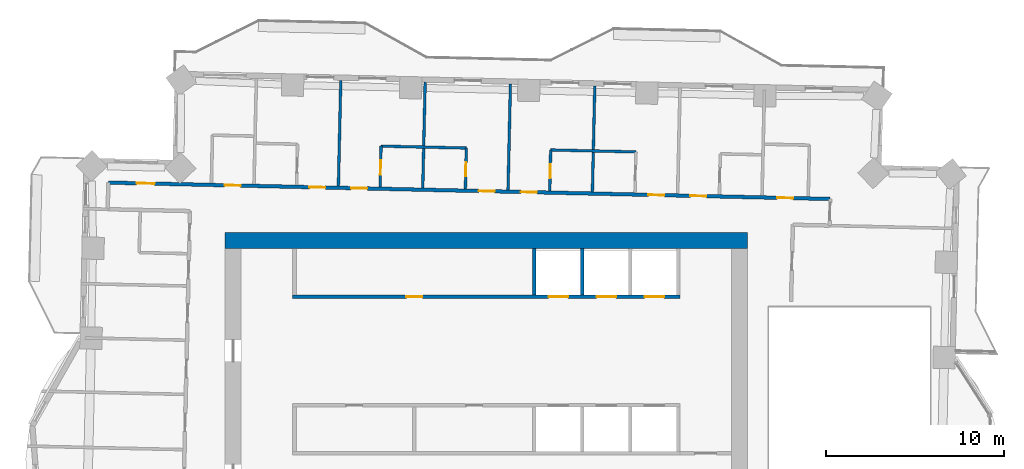
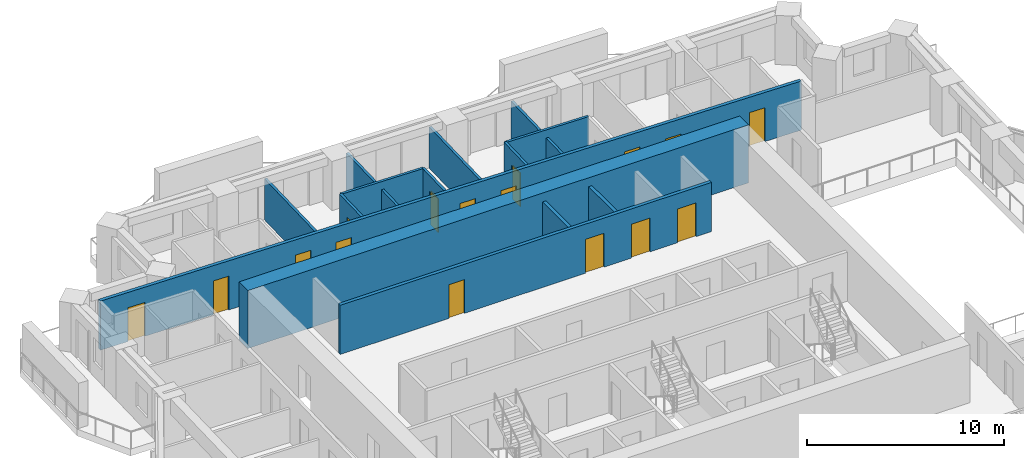
# One storey, part 9 of 15: 16 doors, 14 walls, 16 openings.
"""IFC4 building model written with IfcOpenShell, lengths in metres."""

from ifc_helpers import new_model, si_unit, direction, frame, frame_2d, origin, place, context, subcontext, project, spatial, rectangle, extrude, material, layer, layer_set, type_object, element, fill, save


model = new_model("IFC4")

# Units and contexts
model_context = context("Model", 3, precision=1e-05, world=origin(), true_north=direction((0.0, 1.0)))
body_context = subcontext(model_context, "Body", "Model", "MODEL_VIEW")
ifc_project = project(units=[si_unit("LENGTHUNIT", "METRE"), si_unit("AREAUNIT", "SQUARE_METRE"), si_unit("VOLUMEUNIT", "CUBIC_METRE"), si_unit("PLANEANGLEUNIT", "RADIAN"), si_unit("MASSUNIT", "GRAM", prefix="KILO")], contexts=[model_context])

# Site, building, storey
site_placement = place(None, origin())
site = spatial("IfcSite", under=ifc_project, at=site_placement, CompositionType="ELEMENT")
building_placement = place(site_placement, origin())
building = spatial("IfcBuilding", under=site, at=building_placement, Name="Mangrove Gate Tower", CompositionType="ELEMENT")
storey_placement = place(building_placement, frame((0.0, 0.0, 156.300048828125)))
storey = spatial("IfcBuildingStorey", under=building, at=storey_placement, Name="L39", CompositionType="ELEMENT", Elevation=156.300048828125)

# Wall, openings, doors
ifc_material_1 = material(Name="Concrete C60/75", Category="concrete")
ifc_layer_1 = layer(ifc_material_1, 0.199951171875)
ifc_layer_set_1 = layer_set([ifc_layer_1], Name="Core shaft wall 200 C60/75")
wall_type_1 = type_object("IfcWallType", Name="Core shaft wall 200 C60/75", PredefinedType="SHEAR", material=ifc_layer_set_1)
wall_1_placement = place(storey_placement, frame((-10.89990234375, 8.10009765625, 0.0), z_axis=(0.0, 0.0, 1.0), x_axis=(1.0, 0.0, 0.0)))
wall_1 = element("IfcWall", 1, at=wall_1_placement, inside=storey, type_object=wall_type_1, Name="WALL-L39-CORE-8", PredefinedType="SHEAR", context=body_context, shape_type="SweptSolid", body=[
    extrude(rectangle(XDim=21.7998046875, YDim=0.199951171875, at=frame_2d((10.89990234375, 0.0))), origin(), (0.0, 0.0, 1.0), 3.050048828125),
])
opening_1_placement = place(wall_1_placement, frame((14.39990234375, 0.0, 0.0)))
opening_1 = element("IfcOpeningElement", 2, at=opening_1_placement, cuts=wall_1, Name="Opening LD", PredefinedType="OPENING", context=body_context, shape_type="SweptSolid", body=[
    extrude(rectangle(XDim=1.10009765625, YDim=2.10009765625, at=frame_2d((0.550048828125, 1.050048828125))), frame((0.0, 0.10986328125, 0.0), z_axis=(0.0, -1.0, 0.0), x_axis=(1.0, 0.0, 0.0)), (0.0, 0.0, 1.0), 0.219970703125),
])
opening_2_placement = place(wall_1_placement, frame((17.10009765625, 0.0, 0.0)))
opening_2 = element("IfcOpeningElement", 3, at=opening_2_placement, cuts=wall_1, Name="Opening LD", PredefinedType="OPENING", context=body_context, shape_type="SweptSolid", body=[
    extrude(rectangle(XDim=1.10009765625, YDim=2.10009765625, at=frame_2d((0.550048828125, 1.050048828125))), frame((0.0, 0.10986328125, 0.0), z_axis=(0.0, -1.0, 0.0), x_axis=(1.0, 0.0, 0.0)), (0.0, 0.0, 1.0), 0.219970703125),
])
opening_3_placement = place(wall_1_placement, frame((19.800048828125, 0.0, 0.0)))
opening_3 = element("IfcOpeningElement", 4, at=opening_3_placement, cuts=wall_1, Name="Opening LD", PredefinedType="OPENING", context=body_context, shape_type="SweptSolid", body=[
    extrude(rectangle(XDim=1.10009765625, YDim=2.10009765625, at=frame_2d((0.550048828125, 1.050048828125))), frame((0.0, 0.10986328125, 0.0), z_axis=(0.0, -1.0, 0.0), x_axis=(1.0, 0.0, 0.0)), (0.0, 0.0, 1.0), 0.219970703125),
])
opening_4_placement = place(wall_1_placement, frame((6.39990234375, 0.0, 0.0)))
opening_4 = element("IfcOpeningElement", 5, at=opening_4_placement, cuts=wall_1, Name="Opening KD", PredefinedType="OPENING", context=body_context, shape_type="SweptSolid", body=[
    extrude(rectangle(XDim=0.89990234375, YDim=2.10009765625, at=frame_2d((0.449951171875, 1.050048828125))), frame((0.0, 0.10986328125, 0.0), z_axis=(0.0, -1.0, 0.0), x_axis=(1.0, 0.0, 0.0)), (0.0, 0.0, 1.0), 0.219970703125),
])
ifc_material_2 = material(Name="Fire-rated steel door set", Category="steel")
door_type_1 = type_object("IfcDoorType", Name="Core room door FD30S 900x2100", OperationType="SINGLE_SWING_RIGHT", PredefinedType="DOOR", material=ifc_material_2)
door_1_placement = place(opening_4_placement, origin())
door_1 = element("IfcDoor", 6, at=door_1_placement, inside=storey, type_object=door_type_1, Name="Core room door Refuse store", OperationType="SINGLE_SWING_RIGHT", OverallHeight=2.10009765625, OverallWidth=0.89990234375, PredefinedType="DOOR", context=body_context, shape_type="SweptSolid", body=[
    extrude(rectangle(XDim=0.89990234375, YDim=2.10009765625, at=frame_2d((0.449951171875, 1.050048828125))), frame((0.0, 0.02490234375, 0.0), z_axis=(0.0, -1.0, 0.0), x_axis=(1.0, 0.0, 0.0)), (0.0, 0.0, 1.0), 0.050048828125),
])
fill(opening_4, door_1)
ifc_material_3 = material(Name="Stainless steel 316", Category="steel")
door_type_2 = type_object("IfcDoorType", Name="Lift landing door 1100x2100", OperationType="SLIDING_TO_LEFT", PredefinedType="DOOR", material=ifc_material_3)
door_2_placement = place(opening_1_placement, origin())
door_2 = element("IfcDoor", 7, at=door_2_placement, inside=storey, type_object=door_type_2, Name="Landing door LD M04", OperationType="SLIDING_TO_LEFT", OverallHeight=2.10009765625, OverallWidth=1.10009765625, PredefinedType="DOOR", context=body_context, shape_type="SweptSolid", body=[
    extrude(rectangle(XDim=1.10009765625, YDim=2.10009765625, at=frame_2d((0.550048828125, 1.050048828125))), frame((0.0, 0.02490234375, 0.0), z_axis=(0.0, -1.0, 0.0), x_axis=(1.0, 0.0, 0.0)), (0.0, 0.0, 1.0), 0.050048828125),
])
fill(opening_1, door_2)
door_3_placement = place(opening_2_placement, origin())
door_3 = element("IfcDoor", 8, at=door_3_placement, inside=storey, type_object=door_type_2, Name="Landing door LD M05", OperationType="SLIDING_TO_LEFT", OverallHeight=2.10009765625, OverallWidth=1.10009765625, PredefinedType="DOOR", context=body_context, shape_type="SweptSolid", body=[
    extrude(rectangle(XDim=1.10009765625, YDim=2.10009765625, at=frame_2d((0.550048828125, 1.050048828125))), frame((0.0, 0.02490234375, 0.0), z_axis=(0.0, -1.0, 0.0), x_axis=(1.0, 0.0, 0.0)), (0.0, 0.0, 1.0), 0.050048828125),
])
fill(opening_2, door_3)
door_4_placement = place(opening_3_placement, origin())
door_4 = element("IfcDoor", 9, at=door_4_placement, inside=storey, type_object=door_type_2, Name="Landing door LD M06", OperationType="SLIDING_TO_LEFT", OverallHeight=2.10009765625, OverallWidth=1.10009765625, PredefinedType="DOOR", context=body_context, shape_type="SweptSolid", body=[
    extrude(rectangle(XDim=1.10009765625, YDim=2.10009765625, at=frame_2d((0.550048828125, 1.050048828125))), frame((0.0, 0.02490234375, 0.0), z_axis=(0.0, -1.0, 0.0), x_axis=(1.0, 0.0, 0.0)), (0.0, 0.0, 1.0), 0.050048828125),
])
fill(opening_3, door_4)

# Walls
for number, where, z_axis, x_axis, name in (
    (10, (2.699951171875, 8.199951171875, 0.0), (0.0, 0.0, 1.0), (0.0, 1.0, 0.0), "WALL-L39-CORE-26"),
    (11, (5.39990234375, 8.199951171875, 0.0), (0.0, 0.0, 1.0), (0.0, 1.0, 0.0), "WALL-L39-CORE-27"),
):
    element("IfcWall", number, at=place(storey_placement, frame(where, z_axis=z_axis, x_axis=x_axis)), inside=storey, type_object=wall_type_1, Name=name, PredefinedType="SHEAR", context=body_context, shape_type="SweptSolid", body=[
        extrude(rectangle(XDim=2.60009765625, YDim=0.199951171875, at=frame_2d((1.300048828125, 0.0))), origin(), (0.0, 0.0, 1.0), 3.050048828125),
    ])
ifc_material_4 = material(Name="Concrete C60/75", Category="concrete")
ifc_layer_2 = layer(ifc_material_4, 0.89990234375)
ifc_layer_set_2 = layer_set([ifc_layer_2], Name="Core wall 900 C60/75")
wall_type_2 = type_object("IfcWallType", Name="Core wall 900 C60/75", PredefinedType="SHEAR", material=ifc_layer_set_2)
wall_2_placement = place(storey_placement, frame((-14.699951171875, 11.25, 0.0), z_axis=(0.0, 0.0, 1.0), x_axis=(1.0, 0.0, 0.0)))
element("IfcWall", 12, at=wall_2_placement, inside=storey, type_object=wall_type_2, Name="WALL-L39-CORE-2", PredefinedType="SHEAR", context=body_context, shape_type="SweptSolid", body=[
    extrude(rectangle(XDim=29.39990234375, YDim=0.89990234375, at=frame_2d((14.699951171875, 0.0))), origin(), (0.0, 0.0, 1.0), 3.599853515625),
])

# Wall, openings, doors
ifc_material_5 = material(Name="Gypsum board on steel stud, EI 60", Category="steel")
ifc_layer_3 = layer(ifc_material_5, 0.199951171875)
ifc_layer_set_3 = layer_set([ifc_layer_3], Name="Corridor wall EI 60")
wall_type_3 = type_object("IfcWallType", Name="Corridor wall EI 60", PredefinedType="PARTITIONING", material=ifc_layer_set_3)
wall_3_placement = place(storey_placement, frame((-21.279052734375, 14.52294921875, 0.0), z_axis=(0.0, 0.0, 1.0), x_axis=(0.999742669174, -0.02268469602, 0.0)))
wall_3 = element("IfcWall", 13, at=wall_3_placement, inside=storey, type_object=wall_type_3, Name="WALL-L39-057", PredefinedType="PARTITIONING", context=body_context, shape_type="SweptSolid", body=[
    extrude(rectangle(XDim=40.638671875, YDim=0.199951171875, at=frame_2d((20.3193359375, 0.0))), origin(), (0.0, 0.0, 1.0), 3.050048828125),
])
opening_5_placement = place(wall_3_placement, frame((37.64990234375, 0.0, 0.0)))
opening_5 = element("IfcOpeningElement", 14, at=opening_5_placement, cuts=wall_3, Name="Opening SD", PredefinedType="OPENING", context=body_context, shape_type="SweptSolid", body=[
    extrude(rectangle(XDim=0.89990234375, YDim=2.10009765625, at=frame_2d((0.449951171875, 1.050048828125))), frame((0.0, 0.10986328125, 0.0), z_axis=(0.0, -1.0, 0.0), x_axis=(1.0, 0.0, 0.0)), (0.0, 0.0, 1.0), 0.219970703125),
])
opening_6_placement = place(wall_3_placement, frame((32.77490234375, 0.0, 0.0)))
opening_6 = element("IfcOpeningElement", 15, at=opening_6_placement, cuts=wall_3, Name="Opening BD", PredefinedType="OPENING", context=body_context, shape_type="SweptSolid", body=[
    extrude(rectangle(XDim=0.89990234375, YDim=2.10009765625, at=frame_2d((0.449951171875, 1.050048828125))), frame((0.0, 0.10986328125, 0.0), z_axis=(0.0, -1.0, 0.0), x_axis=(1.0, 0.0, 0.0)), (0.0, 0.0, 1.0), 0.219970703125),
])
opening_7_placement = place(wall_3_placement, frame((30.39990234375, 0.0, 0.0)))
opening_7 = element("IfcOpeningElement", 16, at=opening_7_placement, cuts=wall_3, Name="Opening BD", PredefinedType="OPENING", context=body_context, shape_type="SweptSolid", body=[
    extrude(rectangle(XDim=0.89990234375, YDim=2.10009765625, at=frame_2d((0.449951171875, 1.050048828125))), frame((0.0, 0.10986328125, 0.0), z_axis=(0.0, -1.0, 0.0), x_axis=(1.0, 0.0, 0.0)), (0.0, 0.0, 1.0), 0.219970703125),
])
opening_8_placement = place(wall_3_placement, frame((23.22509765625, 0.0, 0.0)))
opening_8 = element("IfcOpeningElement", 17, at=opening_8_placement, cuts=wall_3, Name="Opening BD", PredefinedType="OPENING", context=body_context, shape_type="SweptSolid", body=[
    extrude(rectangle(XDim=0.89990234375, YDim=2.10009765625, at=frame_2d((0.449951171875, 1.050048828125))), frame((0.0, 0.10986328125, 0.0), z_axis=(0.0, -1.0, 0.0), x_axis=(1.0, 0.0, 0.0)), (0.0, 0.0, 1.0), 0.219970703125),
])
opening_9_placement = place(wall_3_placement, frame((20.85009765625, 0.0, 0.0)))
opening_9 = element("IfcOpeningElement", 18, at=opening_9_placement, cuts=wall_3, Name="Opening BD", PredefinedType="OPENING", context=body_context, shape_type="SweptSolid", body=[
    extrude(rectangle(XDim=0.89990234375, YDim=2.10009765625, at=frame_2d((0.449951171875, 1.050048828125))), frame((0.0, 0.10986328125, 0.0), z_axis=(0.0, -1.0, 0.0), x_axis=(1.0, 0.0, 0.0)), (0.0, 0.0, 1.0), 0.219970703125),
])
opening_10_placement = place(wall_3_placement, frame((13.675048828125, 0.0, 0.0)))
opening_10 = element("IfcOpeningElement", 19, at=opening_10_placement, cuts=wall_3, Name="Opening BD", PredefinedType="OPENING", context=body_context, shape_type="SweptSolid", body=[
    extrude(rectangle(XDim=0.89990234375, YDim=2.10009765625, at=frame_2d((0.449951171875, 1.050048828125))), frame((0.0, 0.10986328125, 0.0), z_axis=(0.0, -1.0, 0.0), x_axis=(1.0, 0.0, 0.0)), (0.0, 0.0, 1.0), 0.219970703125),
])
opening_11_placement = place(wall_3_placement, frame((11.324951171875, 0.0, 0.0)))
opening_11 = element("IfcOpeningElement", 20, at=opening_11_placement, cuts=wall_3, Name="Opening BD", PredefinedType="OPENING", context=body_context, shape_type="SweptSolid", body=[
    extrude(rectangle(XDim=0.89990234375, YDim=2.10009765625, at=frame_2d((0.449951171875, 1.050048828125))), frame((0.0, 0.10986328125, 0.0), z_axis=(0.0, -1.0, 0.0), x_axis=(1.0, 0.0, 0.0)), (0.0, 0.0, 1.0), 0.219970703125),
])
opening_12_placement = place(wall_3_placement, frame((1.60009765625, 0.0, 0.0)))
opening_12 = element("IfcOpeningElement", 21, at=opening_12_placement, cuts=wall_3, Name="Opening AD", PredefinedType="OPENING", context=body_context, shape_type="SweptSolid", body=[
    extrude(rectangle(XDim=1.0, YDim=2.10009765625, at=frame_2d((0.5, 1.050048828125))), frame((0.0, 0.10986328125, 0.0), z_axis=(0.0, -1.0, 0.0), x_axis=(1.0, 0.0, 0.0)), (0.0, 0.0, 1.0), 0.219970703125),
])
opening_13_placement = place(wall_3_placement, frame((6.550048828125, 0.0, 0.0)))
opening_13 = element("IfcOpeningElement", 22, at=opening_13_placement, cuts=wall_3, Name="Opening SD", PredefinedType="OPENING", context=body_context, shape_type="SweptSolid", body=[
    extrude(rectangle(XDim=0.89990234375, YDim=2.10009765625, at=frame_2d((0.449951171875, 1.050048828125))), frame((0.0, 0.10986328125, 0.0), z_axis=(0.0, -1.0, 0.0), x_axis=(1.0, 0.0, 0.0)), (0.0, 0.0, 1.0), 0.219970703125),
])
ifc_material_6 = material(Name="Timber door leaf", Category="wood")
door_type_3 = type_object("IfcDoorType", Name="Amenity door 1000", OperationType="SINGLE_SWING_LEFT", PredefinedType="DOOR", material=ifc_material_6)
door_5_placement = place(opening_12_placement, origin())
door_5 = element("IfcDoor", 23, at=door_5_placement, inside=storey, type_object=door_type_3, Name="DOOR-L39-STU-c5a", OperationType="SINGLE_SWING_RIGHT", OverallHeight=2.10009765625, OverallWidth=1.0, PredefinedType="DOOR", context=body_context, shape_type="SweptSolid", body=[
    extrude(rectangle(XDim=1.0, YDim=2.10009765625, at=frame_2d((0.5, 1.050048828125))), frame((0.0, 0.02490234375, 0.0), z_axis=(0.0, -1.0, 0.0), x_axis=(1.0, 0.0, 0.0)), (0.0, 0.0, 1.0), 0.050048828125),
])
fill(opening_12, door_5)
ifc_material_7 = material(Name="Timber door leaf", Category="wood")
door_type_4 = type_object("IfcDoorType", Name="Bedroom door 900", OperationType="SINGLE_SWING_LEFT", PredefinedType="DOOR", material=ifc_material_7)
door_6_placement = place(opening_6_placement, origin())
door_6 = element("IfcDoor", 24, at=door_6_placement, inside=storey, type_object=door_type_4, Name="DOOR-L39-BED-c309", OperationType="SINGLE_SWING_LEFT", OverallHeight=2.10009765625, OverallWidth=0.89990234375, PredefinedType="DOOR", context=body_context, shape_type="SweptSolid", body=[
    extrude(rectangle(XDim=0.89990234375, YDim=2.10009765625, at=frame_2d((0.449951171875, 1.050048828125))), frame((0.0, 0.02490234375, 0.0), z_axis=(0.0, -1.0, 0.0), x_axis=(1.0, 0.0, 0.0)), (0.0, 0.0, 1.0), 0.050048828125),
])
fill(opening_6, door_6)
door_7_placement = place(opening_7_placement, origin())
door_7 = element("IfcDoor", 25, at=door_7_placement, inside=storey, type_object=door_type_4, Name="DOOR-L39-BED-c410", OperationType="SINGLE_SWING_RIGHT", OverallHeight=2.10009765625, OverallWidth=0.89990234375, PredefinedType="DOOR", context=body_context, shape_type="SweptSolid", body=[
    extrude(rectangle(XDim=0.89990234375, YDim=2.10009765625, at=frame_2d((0.449951171875, 1.050048828125))), frame((0.0, 0.02490234375, 0.0), z_axis=(0.0, -1.0, 0.0), x_axis=(1.0, 0.0, 0.0)), (0.0, 0.0, 1.0), 0.050048828125),
])
fill(opening_7, door_7)
door_8_placement = place(opening_8_placement, origin())
door_8 = element("IfcDoor", 26, at=door_8_placement, inside=storey, type_object=door_type_4, Name="DOOR-L39-BED-c411", OperationType="SINGLE_SWING_LEFT", OverallHeight=2.10009765625, OverallWidth=0.89990234375, PredefinedType="DOOR", context=body_context, shape_type="SweptSolid", body=[
    extrude(rectangle(XDim=0.89990234375, YDim=2.10009765625, at=frame_2d((0.449951171875, 1.050048828125))), frame((0.0, 0.02490234375, 0.0), z_axis=(0.0, -1.0, 0.0), x_axis=(1.0, 0.0, 0.0)), (0.0, 0.0, 1.0), 0.050048828125),
])
fill(opening_8, door_8)
door_9_placement = place(opening_9_placement, origin())
door_9 = element("IfcDoor", 27, at=door_9_placement, inside=storey, type_object=door_type_4, Name="DOOR-L39-BED-c412", OperationType="SINGLE_SWING_RIGHT", OverallHeight=2.10009765625, OverallWidth=0.89990234375, PredefinedType="DOOR", context=body_context, shape_type="SweptSolid", body=[
    extrude(rectangle(XDim=0.89990234375, YDim=2.10009765625, at=frame_2d((0.449951171875, 1.050048828125))), frame((0.0, 0.02490234375, 0.0), z_axis=(0.0, -1.0, 0.0), x_axis=(1.0, 0.0, 0.0)), (0.0, 0.0, 1.0), 0.050048828125),
])
fill(opening_9, door_9)
door_10_placement = place(opening_10_placement, origin())
door_10 = element("IfcDoor", 28, at=door_10_placement, inside=storey, type_object=door_type_4, Name="DOOR-L39-BED-c513", OperationType="SINGLE_SWING_LEFT", OverallHeight=2.10009765625, OverallWidth=0.89990234375, PredefinedType="DOOR", context=body_context, shape_type="SweptSolid", body=[
    extrude(rectangle(XDim=0.89990234375, YDim=2.10009765625, at=frame_2d((0.449951171875, 1.050048828125))), frame((0.0, 0.02490234375, 0.0), z_axis=(0.0, -1.0, 0.0), x_axis=(1.0, 0.0, 0.0)), (0.0, 0.0, 1.0), 0.050048828125),
])
fill(opening_10, door_10)
door_11_placement = place(opening_11_placement, origin())
door_11 = element("IfcDoor", 29, at=door_11_placement, inside=storey, type_object=door_type_4, Name="DOOR-L39-BED-c514", OperationType="SINGLE_SWING_RIGHT", OverallHeight=2.10009765625, OverallWidth=0.89990234375, PredefinedType="DOOR", context=body_context, shape_type="SweptSolid", body=[
    extrude(rectangle(XDim=0.89990234375, YDim=2.10009765625, at=frame_2d((0.449951171875, 1.050048828125))), frame((0.0, 0.02490234375, 0.0), z_axis=(0.0, -1.0, 0.0), x_axis=(1.0, 0.0, 0.0)), (0.0, 0.0, 1.0), 0.050048828125),
])
fill(opening_11, door_11)
ifc_material_8 = material(Name="Timber door leaf", Category="wood")
door_type_5 = type_object("IfcDoorType", Name="Service room door 900", OperationType="SINGLE_SWING_LEFT", PredefinedType="DOOR", material=ifc_material_8)
door_12_placement = place(opening_5_placement, origin())
door_12 = element("IfcDoor", 30, at=door_12_placement, inside=storey, type_object=door_type_5, Name="DOOR-L39-AWC-c3b", OperationType="SINGLE_SWING_LEFT", OverallHeight=2.10009765625, OverallWidth=0.89990234375, PredefinedType="DOOR", context=body_context, shape_type="SweptSolid", body=[
    extrude(rectangle(XDim=0.89990234375, YDim=2.10009765625, at=frame_2d((0.449951171875, 1.050048828125))), frame((0.0, 0.02490234375, 0.0), z_axis=(0.0, -1.0, 0.0), x_axis=(1.0, 0.0, 0.0)), (0.0, 0.0, 1.0), 0.050048828125),
])
fill(opening_5, door_12)
door_13_placement = place(opening_13_placement, origin())
door_13 = element("IfcDoor", 31, at=door_13_placement, inside=storey, type_object=door_type_5, Name="DOOR-L39-WC-c5a", OperationType="SINGLE_SWING_RIGHT", OverallHeight=2.10009765625, OverallWidth=0.89990234375, PredefinedType="DOOR", context=body_context, shape_type="SweptSolid", body=[
    extrude(rectangle(XDim=0.89990234375, YDim=2.10009765625, at=frame_2d((0.449951171875, 1.050048828125))), frame((0.0, 0.02490234375, 0.0), z_axis=(0.0, -1.0, 0.0), x_axis=(1.0, 0.0, 0.0)), (0.0, 0.0, 1.0), 0.050048828125),
])
fill(opening_13, door_13)

# Wall
ifc_material_9 = material(Name="Gypsum board on steel stud, EI 60", Category="steel")
ifc_layer_4 = layer(ifc_material_9, 0.14990234375)
ifc_layer_set_4 = layer_set([ifc_layer_4], Name="Party wall 150 EI 60")
wall_type_4 = type_object("IfcWallType", Name="Party wall 150 EI 60", PredefinedType="PARTITIONING", material=ifc_layer_set_4)
wall_4_placement = place(storey_placement, frame((-8.330078125, 14.3291015625, 0.0), z_axis=(0.0, 0.0, 1.0), x_axis=(0.022688785847, 0.999742576365, 0.0)))
element("IfcWall", 32, at=wall_4_placement, inside=storey, type_object=wall_type_4, Name="WALL-L39-061", PredefinedType="PARTITIONING", context=body_context, shape_type="SweptSolid", body=[
    extrude(rectangle(XDim=5.950439453125, YDim=0.14990234375, at=frame_2d((2.97509765625, 0.0))), origin(), (0.0, 0.0, 1.0), 2.550048828125),
])

# Wall, opening, door
wall_5_placement = place(storey_placement, frame((-5.98095703125, 14.27587890625, 0.0), z_axis=(0.0, 0.0, 1.0), x_axis=(0.023037316498, 0.999734605807, 0.0)))
wall_5 = element("IfcWall", 33, at=wall_5_placement, inside=storey, type_object=wall_type_4, Name="WALL-L39-062", PredefinedType="PARTITIONING", context=body_context, shape_type="SweptSolid", body=[
    extrude(rectangle(XDim=2.299560546875, YDim=0.14990234375, at=frame_2d((1.14990234375, 0.0))), origin(), (0.0, 0.0, 1.0), 3.050048828125),
])
opening_14_placement = place(wall_5_placement, frame((0.699951171875, 0.0, 0.0)))
opening_14 = element("IfcOpeningElement", 34, at=opening_14_placement, cuts=wall_5, Name="Opening ED", PredefinedType="OPENING", context=body_context, shape_type="SweptSolid", body=[
    extrude(rectangle(XDim=0.800048828125, YDim=2.10009765625, at=frame_2d((0.39990234375, 1.050048828125))), frame((0.0, 0.0849609375, 0.0), z_axis=(0.0, -1.0, 0.0), x_axis=(1.0, 0.0, 0.0)), (0.0, 0.0, 1.0), 0.169921875),
])
ifc_material_10 = material(Name="Timber door leaf", Category="wood")
door_type_6 = type_object("IfcDoorType", Name="En-suite door 800", OperationType="SINGLE_SWING_LEFT", PredefinedType="DOOR", material=ifc_material_10)
door_14_placement = place(opening_14_placement, origin())
door_14 = element("IfcDoor", 35, at=door_14_placement, inside=storey, type_object=door_type_6, Name="DOOR-L39-ENS-c513", OperationType="SINGLE_SWING_LEFT", OverallHeight=2.10009765625, OverallWidth=0.800048828125, PredefinedType="DOOR", context=body_context, shape_type="SweptSolid", body=[
    extrude(rectangle(XDim=0.800048828125, YDim=2.10009765625, at=frame_2d((0.39990234375, 1.050048828125))), frame((0.0, 0.02490234375, 0.0), z_axis=(0.0, -1.0, 0.0), x_axis=(1.0, 0.0, 0.0)), (0.0, 0.0, 1.0), 0.050048828125),
])
fill(opening_14, door_14)

# Wall
wall_6_placement = place(storey_placement, frame((-3.5810546875, 14.221923828125, 0.0), z_axis=(0.0, 0.0, 1.0), x_axis=(0.022688785847, 0.999742576365, 0.0)))
element("IfcWall", 36, at=wall_6_placement, inside=storey, type_object=wall_type_4, Name="WALL-L39-063", PredefinedType="PARTITIONING", context=body_context, shape_type="SweptSolid", body=[
    extrude(rectangle(XDim=5.950439453125, YDim=0.14990234375, at=frame_2d((2.97509765625, 0.0))), origin(), (0.0, 0.0, 1.0), 2.550048828125),
])

# Wall, opening, door
wall_7_placement = place(storey_placement, frame((-1.181884765625, 14.1669921875, 0.0), z_axis=(0.0, 0.0, 1.0), x_axis=(0.022603288534, 0.999744513037, 0.0)))
wall_7 = element("IfcWall", 37, at=wall_7_placement, inside=storey, type_object=wall_type_4, Name="WALL-L39-064", PredefinedType="PARTITIONING", context=body_context, shape_type="SweptSolid", body=[
    extrude(rectangle(XDim=2.300537109375, YDim=0.14990234375, at=frame_2d((1.150390625, 0.0))), origin(), (0.0, 0.0, 1.0), 3.050048828125),
])
opening_15_placement = place(wall_7_placement, frame((0.699951171875, 0.0, 0.0)))
opening_15 = element("IfcOpeningElement", 38, at=opening_15_placement, cuts=wall_7, Name="Opening ED", PredefinedType="OPENING", context=body_context, shape_type="SweptSolid", body=[
    extrude(rectangle(XDim=0.800048828125, YDim=2.10009765625, at=frame_2d((0.39990234375, 1.050048828125))), frame((0.0, 0.0849609375, 0.0), z_axis=(0.0, -1.0, 0.0), x_axis=(1.0, 0.0, 0.0)), (0.0, 0.0, 1.0), 0.169921875),
])
door_15_placement = place(opening_15_placement, origin())
door_15 = element("IfcDoor", 39, at=door_15_placement, inside=storey, type_object=door_type_6, Name="DOOR-L39-ENS-c412", OperationType="SINGLE_SWING_RIGHT", OverallHeight=2.10009765625, OverallWidth=0.800048828125, PredefinedType="DOOR", context=body_context, shape_type="SweptSolid", body=[
    extrude(rectangle(XDim=0.800048828125, YDim=2.10009765625, at=frame_2d((0.39990234375, 1.050048828125))), frame((0.0, 0.02490234375, 0.0), z_axis=(0.0, -1.0, 0.0), x_axis=(1.0, 0.0, 0.0)), (0.0, 0.0, 1.0), 0.050048828125),
])
fill(opening_15, door_15)

# Wall
wall_8_placement = place(storey_placement, frame((1.218017578125, 14.113037109375, 0.0), z_axis=(0.0, 0.0, 1.0), x_axis=(0.022688785847, 0.999742576365, 0.0)))
element("IfcWall", 40, at=wall_8_placement, inside=storey, type_object=wall_type_4, Name="WALL-L39-065", PredefinedType="PARTITIONING", context=body_context, shape_type="SweptSolid", body=[
    extrude(rectangle(XDim=5.950439453125, YDim=0.14990234375, at=frame_2d((2.97509765625, 0.0))), origin(), (0.0, 0.0, 1.0), 2.550048828125),
])

# Wall, opening, door
wall_9_placement = place(storey_placement, frame((3.56689453125, 14.05908203125, 0.0), z_axis=(0.0, 0.0, 1.0), x_axis=(0.022605686808, 0.999744458811, 0.0)))
wall_9 = element("IfcWall", 41, at=wall_9_placement, inside=storey, type_object=wall_type_4, Name="WALL-L39-066", PredefinedType="PARTITIONING", context=body_context, shape_type="SweptSolid", body=[
    extrude(rectangle(XDim=2.30029296875, YDim=0.14990234375, at=frame_2d((1.150146484375, 0.0))), origin(), (0.0, 0.0, 1.0), 3.050048828125),
])
opening_16_placement = place(wall_9_placement, frame((0.699951171875, 0.0, 0.0)))
opening_16 = element("IfcOpeningElement", 42, at=opening_16_placement, cuts=wall_9, Name="Opening ED", PredefinedType="OPENING", context=body_context, shape_type="SweptSolid", body=[
    extrude(rectangle(XDim=0.800048828125, YDim=2.10009765625, at=frame_2d((0.39990234375, 1.050048828125))), frame((0.0, 0.0849609375, 0.0), z_axis=(0.0, -1.0, 0.0), x_axis=(1.0, 0.0, 0.0)), (0.0, 0.0, 1.0), 0.169921875),
])
door_16_placement = place(opening_16_placement, origin())
door_16 = element("IfcDoor", 43, at=door_16_placement, inside=storey, type_object=door_type_6, Name="DOOR-L39-ENS-c411", OperationType="SINGLE_SWING_LEFT", OverallHeight=2.10009765625, OverallWidth=0.800048828125, PredefinedType="DOOR", context=body_context, shape_type="SweptSolid", body=[
    extrude(rectangle(XDim=0.800048828125, YDim=2.10009765625, at=frame_2d((0.39990234375, 1.050048828125))), frame((0.0, 0.02490234375, 0.0), z_axis=(0.0, -1.0, 0.0), x_axis=(1.0, 0.0, 0.0)), (0.0, 0.0, 1.0), 0.050048828125),
])
fill(opening_16, door_16)

# Walls
wall_10_placement = place(storey_placement, frame((5.966064453125, 14.0048828125, 0.0), z_axis=(0.0, 0.0, 1.0), x_axis=(0.022687855237, 0.999742597484, 0.0)))
element("IfcWall", 44, at=wall_10_placement, inside=storey, type_object=wall_type_4, Name="WALL-L39-067", PredefinedType="PARTITIONING", context=body_context, shape_type="SweptSolid", body=[
    extrude(rectangle(XDim=5.95068359375, YDim=0.14990234375, at=frame_2d((2.975341796875, 0.0))), origin(), (0.0, 0.0, 1.0), 2.550048828125),
])
wall_11_placement = place(storey_placement, frame((-5.927978515625, 16.574951171875, 0.0), z_axis=(0.0, 0.0, 1.0), x_axis=(0.999747191239, -0.022484519337, 0.0)))
element("IfcWall", 45, at=wall_11_placement, inside=storey, type_object=wall_type_4, Name="WALL-L39-074", PredefinedType="PARTITIONING", context=body_context, shape_type="SweptSolid", body=[
    extrude(rectangle(XDim=4.79931640625, YDim=0.14990234375, at=frame_2d((2.399658203125, 0.0))), origin(), (0.0, 0.0, 1.0), 3.050048828125),
])
wall_12_placement = place(storey_placement, frame((3.618896484375, 16.35888671875, 0.0), z_axis=(0.0, 0.0, 1.0), x_axis=(0.999742701292, -0.022683280499, 0.0)))
element("IfcWall", 46, at=wall_12_placement, inside=storey, type_object=wall_type_4, Name="WALL-L39-075", PredefinedType="PARTITIONING", context=body_context, shape_type="SweptSolid", body=[
    extrude(rectangle(XDim=4.80029296875, YDim=0.14990234375, at=frame_2d((2.400146484375, 0.0))), origin(), (0.0, 0.0, 1.0), 3.050048828125),
])

save(model, "model.ifc")
